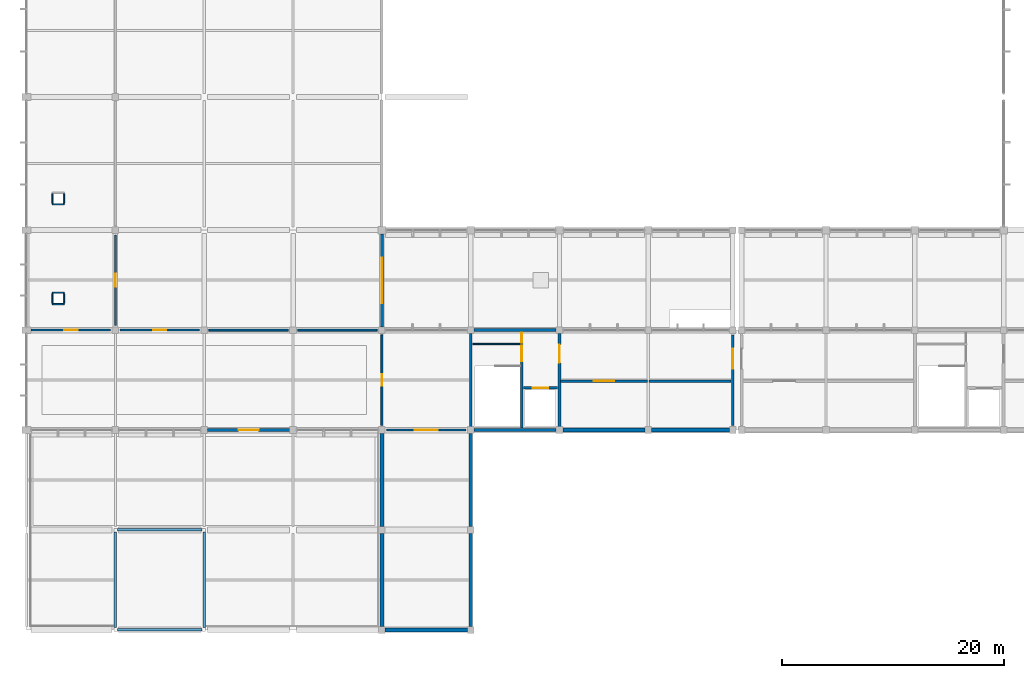
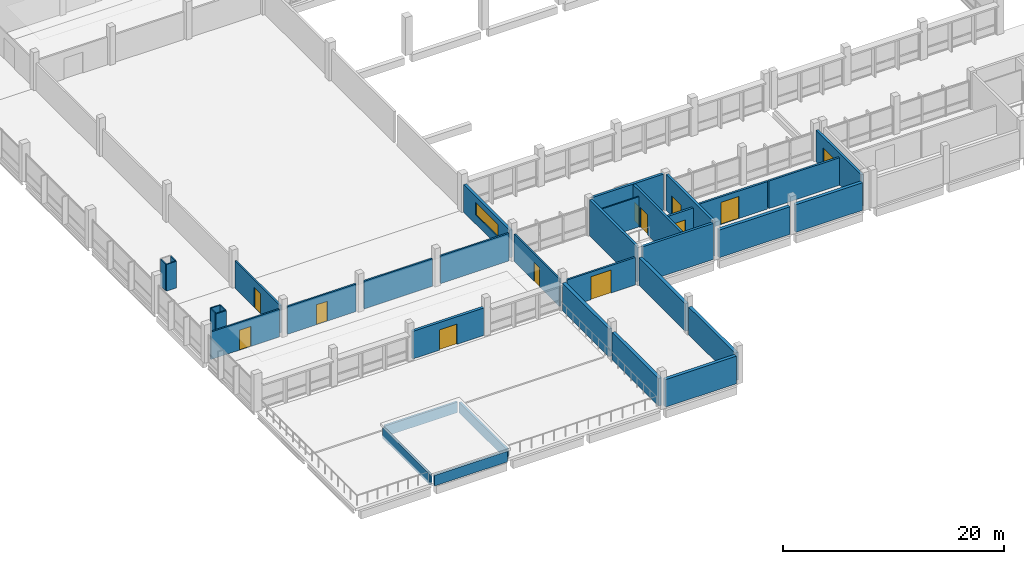
# One storey, part 55 of 70: 37 walls, 12 doors, 1 window, 13 openings.
"""IFC4 building model written with IfcOpenShell, lengths in metres."""

from ifc_helpers import new_model, si_unit, direction, frame, frame_2d, origin, place, context, subcontext, project, spatial, rectangle, extrude, material, layer, layer_set, type_object, element, fill, save


model = new_model("IFC4")

# Units and contexts
model_context = context("Model", 3, precision=1e-05, world=origin(), true_north=direction((0.0, 1.0)))
body_context = subcontext(model_context, "Body", "Model", "MODEL_VIEW")
ifc_project = project(units=[si_unit("LENGTHUNIT", "METRE"), si_unit("AREAUNIT", "SQUARE_METRE"), si_unit("VOLUMEUNIT", "CUBIC_METRE"), si_unit("PLANEANGLEUNIT", "RADIAN"), si_unit("MASSUNIT", "GRAM", prefix="KILO"), si_unit("THERMODYNAMICTEMPERATUREUNIT", "KELVIN"), si_unit("POWERUNIT", "WATT")], contexts=[model_context])

# Site, building, storey
site_placement = place(None, origin())
site = spatial("IfcSite", under=ifc_project, at=site_placement, CompositionType="ELEMENT")
building_placement = place(site_placement, origin())
building = spatial("IfcBuilding", under=site, at=building_placement, Name="Kronsvod Quay Wholesale Market", CompositionType="ELEMENT")
storey_placement = place(building_placement, frame((0.0, 0.0, 9.0)))
storey = spatial("IfcBuildingStorey", under=building, at=storey_placement, Name="L02", CompositionType="ELEMENT", Elevation=9.0)

# Wall, opening, door
ifc_material_1 = material(Name="Polyisocyanurate insulated cold-room panel")
ifc_layer_1 = layer(ifc_material_1, 0.195068359375)
ifc_layer_set_1 = layer_set([ifc_layer_1], Name="Polyisocyanurate insulated cold-room panel")
wall_type_1 = type_object("IfcWallType", Name="Wall_ColdInsul195", PredefinedType="PARTITIONING", material=ifc_layer_set_1)
wall_1_placement = place(storey_placement, frame((32.419921875, 36.0, 0.0), z_axis=(0.0, 0.0, 1.0), x_axis=(1.0, 0.0, 0.0)))
wall_1 = element("IfcWall", 1, at=wall_1_placement, inside=storey, type_object=wall_type_1, Name="PW-L02-0019", PredefinedType="PARTITIONING", context=body_context, shape_type="SweptSolid", body=[
    extrude(rectangle(XDim=7.16015625, YDim=0.195068359375, at=frame_2d((3.580078125, 0.0))), origin(), (0.0, 0.0, 1.0), 3.050048828125),
])
opening_1_placement = place(wall_1_placement, frame((2.530029296875, 0.0, 0.0)))
opening_1 = element("IfcOpeningElement", 2, at=opening_1_placement, cuts=wall_1, Name="Opening D-0279", PredefinedType="OPENING", context=body_context, shape_type="SweptSolid", body=[
    extrude(rectangle(XDim=2.10009765625, YDim=2.550048828125, at=frame_2d((1.050048828125, 1.27490234375))), frame((0.0, 0.107421875, 0.0), z_axis=(0.0, -1.0, 0.0), x_axis=(1.0, 0.0, 0.0)), (0.0, 0.0, 1.0), 0.215087890625),
])
ifc_material_2 = material(Name="Insulated stainless cold-store door", Category="steel")
door_type_1 = type_object("IfcDoorType", Name="Door_ColdSlide210x255", OperationType="SLIDING_TO_RIGHT", PredefinedType="DOOR", material=ifc_material_2)
door_1_placement = place(opening_1_placement, origin())
door_1 = element("IfcDoor", 3, at=door_1_placement, inside=storey, type_object=door_type_1, Name="Interior Door D-0279", OperationType="SLIDING_TO_LEFT", OverallHeight=2.550048828125, OverallWidth=2.10009765625, PredefinedType="DOOR", context=body_context, shape_type="SweptSolid", body=[
    extrude(rectangle(XDim=2.10009765625, YDim=2.550048828125, at=frame_2d((1.050048828125, 1.27490234375))), frame((0.0, 0.02490234375, 0.0), z_axis=(0.0, -1.0, 0.0), x_axis=(1.0, 0.0, 0.0)), (0.0, 0.0, 1.0), 0.050048828125),
])
fill(opening_1, door_1)

ifc_material_3 = material(Name="Polyisocyanurate insulated cold-room panel")
ifc_layer_2 = layer(ifc_material_3, 0.2099609375)
ifc_layer_set_2 = layer_set([ifc_layer_2], Name="Polyisocyanurate insulated cold-room panel")
wall_type_2 = type_object("IfcWallType", Name="Wall_ColdInsul210", PredefinedType="PARTITIONING", material=ifc_layer_set_2)
wall_2_placement = place(storey_placement, frame((48.080078125, 40.39990234375, 0.0), z_axis=(0.0, 0.0, 1.0), x_axis=(1.0, 0.0, 0.0)))
wall_2 = element("IfcWall", 4, at=wall_2_placement, inside=storey, type_object=wall_type_2, Name="PW-L02-0020", PredefinedType="PARTITIONING", context=body_context, shape_type="SweptSolid", body=[
    extrude(rectangle(XDim=7.85986328125, YDim=0.2099609375, at=frame_2d((3.929931640625, 0.0))), origin(), (0.0, 0.0, 1.0), 3.050048828125),
])
opening_2_placement = place(wall_2_placement, frame((3.0048828125, 0.0, 0.0)))
opening_2 = element("IfcOpeningElement", 5, at=opening_2_placement, cuts=wall_2, Name="Opening D-0280", PredefinedType="OPENING", context=body_context, shape_type="SweptSolid", body=[
    extrude(rectangle(XDim=1.85009765625, YDim=2.449951171875, at=frame_2d((0.925048828125, 1.22509765625))), frame((0.0, 0.114990234375, 0.0), z_axis=(0.0, -1.0, 0.0), x_axis=(1.0, 0.0, 0.0)), (0.0, 0.0, 1.0), 0.22998046875),
])
ifc_material_4 = material(Name="Insulated stainless cold-store door", Category="steel")
door_type_2 = type_object("IfcDoorType", Name="Door_ColdSlide185x245", OperationType="SLIDING_TO_LEFT", PredefinedType="DOOR", material=ifc_material_4)
door_2_placement = place(opening_2_placement, origin())
door_2 = element("IfcDoor", 6, at=door_2_placement, inside=storey, type_object=door_type_2, Name="Interior Door D-0280", OperationType="SLIDING_TO_LEFT", OverallHeight=2.449951171875, OverallWidth=1.85009765625, PredefinedType="DOOR", context=body_context, shape_type="SweptSolid", body=[
    extrude(rectangle(XDim=1.85009765625, YDim=2.449951171875, at=frame_2d((0.925048828125, 1.22509765625))), frame((0.0, 0.02490234375, 0.0), z_axis=(0.0, -1.0, 0.0), x_axis=(1.0, 0.0, 0.0)), (0.0, 0.0, 1.0), 0.050048828125),
])
fill(opening_2, door_2)

# Walls
wall_3_placement = place(storey_placement, frame((56.06005859375, 40.39990234375, 0.0), z_axis=(0.0, 0.0, 1.0), x_axis=(1.0, 0.0, 0.0)))
element("IfcWall", 7, at=wall_3_placement, inside=storey, type_object=wall_type_2, Name="PW-L02-0021", PredefinedType="PARTITIONING", context=body_context, shape_type="SweptSolid", body=[
    extrude(rectangle(XDim=7.39990234375, YDim=0.2099609375, at=frame_2d((3.699951171875, 0.0))), origin(), (0.0, 0.0, 1.0), 3.050048828125),
])
ifc_material_5 = material(Name="Concrete C35/45", Category="concrete")
ifc_layer_3 = layer(ifc_material_5, 0.260009765625)
ifc_layer_set_3 = layer_set([ifc_layer_3], Name="Concrete C35/45")
wall_type_3 = type_object("IfcWallType", Name="Wall_CoreShear260", PredefinedType="SHEAR", material=ifc_layer_set_3)
for number, where, z_axis, x_axis, name in (
    (8, (40.294921875, 36.0, 0.0), (0.0, 0.0, 1.0), (1.0, 0.0, 0.0), "CW-C03-L02-S"),
    (9, (40.294921875, 45.0, 0.0), (0.0, 0.0, 1.0), (1.0, 0.0, 0.0), "CW-C03-L02-N"),
):
    element("IfcWall", number, at=place(storey_placement, frame(where, z_axis=z_axis, x_axis=x_axis)), inside=storey, type_object=wall_type_3, Name=name, PredefinedType="SHEAR", context=body_context, shape_type="SweptSolid", body=[
        extrude(rectangle(XDim=7.41015625, YDim=0.260009765625, at=frame_2d((3.705078125, 0.0))), origin(), (0.0, 0.0, 1.0), 3.985107421875),
    ])
wall_4_placement = place(storey_placement, frame((40.0, 36.294921875, 0.0), z_axis=(0.0, 0.0, 1.0), x_axis=(0.0, 1.0, 0.0)))
element("IfcWall", 10, at=wall_4_placement, inside=storey, type_object=wall_type_3, Name="CW-C03-L02-W", PredefinedType="SHEAR", context=body_context, shape_type="SweptSolid", body=[
    extrude(rectangle(XDim=8.41015625, YDim=0.260009765625, at=frame_2d((4.205078125, 0.0))), origin(), (0.0, 0.0, 1.0), 3.985107421875),
])

# Wall, opening, door
wall_5_placement = place(storey_placement, frame((48.0, 36.294921875, 0.0), z_axis=(0.0, 0.0, 1.0), x_axis=(0.0, 1.0, 0.0)))
wall_5 = element("IfcWall", 11, at=wall_5_placement, inside=storey, type_object=wall_type_3, Name="CW-C03-L02-E", PredefinedType="SHEAR", context=body_context, shape_type="SweptSolid", body=[
    extrude(rectangle(XDim=8.41015625, YDim=0.260009765625, at=frame_2d((4.205078125, 0.0))), origin(), (0.0, 0.0, 1.0), 3.985107421875),
])
opening_3_placement = place(wall_5_placement, frame((5.75, 0.0, 0.0)))
opening_3 = element("IfcOpeningElement", 12, at=opening_3_placement, cuts=wall_5, Name="Opening D-0031", PredefinedType="OPENING", context=body_context, shape_type="SweptSolid", body=[
    extrude(rectangle(XDim=1.64990234375, YDim=2.219970703125, at=frame_2d((0.824951171875, 1.10986328125))), frame((0.0, 0.14013671875, 0.0), z_axis=(0.0, -1.0, 0.0), x_axis=(1.0, 0.0, 0.0)), (0.0, 0.0, 1.0), 0.280029296875),
])
ifc_material_6 = material(Name="Painted galvanized fire steel", Category="steel")
door_type_3 = type_object("IfcDoorType", Name="Door_FireLobby165x222", OperationType="DOUBLE_DOOR_SINGLE_SWING", PredefinedType="DOOR", material=ifc_material_6)
door_3_placement = place(opening_3_placement, origin())
door_3 = element("IfcDoor", 13, at=door_3_placement, inside=storey, type_object=door_type_3, Name="Core Lobby Door D-0031", OperationType="DOUBLE_DOOR_SINGLE_SWING", OverallHeight=2.219970703125, OverallWidth=1.64990234375, PredefinedType="DOOR", context=body_context, shape_type="SweptSolid", body=[
    extrude(rectangle(XDim=1.64990234375, YDim=2.219970703125, at=frame_2d((0.824951171875, 1.10986328125))), frame((0.0, 0.02490234375, 0.0), z_axis=(0.0, -1.0, 0.0), x_axis=(1.0, 0.0, 0.0)), (0.0, 0.0, 1.0), 0.050048828125),
])
fill(opening_3, door_3)

# Walls
ifc_material_7 = material(Name="Precast concrete C40/50", Category="concrete")
ifc_layer_4 = layer(ifc_material_7, 0.340087890625)
ifc_layer_set_4 = layer_set([ifc_layer_4], Name="Precast concrete C40/50")
wall_type_4 = type_object("IfcWallType", Name="Wall_ExtColdSandwich340", PredefinedType="SOLIDWALL", material=ifc_layer_set_4)
for number, where, z_axis, x_axis, name in (
    (14, (32.294921875, 18.0, 0.0), (0.0, 0.0, 1.0), (1.0, 0.0, 0.0), "EW-X-L02-0157"),
    (15, (48.294921875, 36.0, 0.0), (0.0, 0.0, 1.0), (1.0, 0.0, 0.0), "EW-X-L02-0159"),
):
    element("IfcWall", number, at=place(storey_placement, frame(where, z_axis=z_axis, x_axis=x_axis)), inside=storey, type_object=wall_type_4, Name=name, PredefinedType="SOLIDWALL", context=body_context, shape_type="SweptSolid", body=[
        extrude(rectangle(XDim=7.41015625, YDim=0.340087890625, at=frame_2d((3.705078125, 0.0))), origin(), (0.0, 0.0, 1.0), 3.050048828125),
    ])
wall_6_placement = place(storey_placement, frame((56.294921875, 36.0, 0.0), z_axis=(0.0, 0.0, 1.0), x_axis=(1.0, 0.0, 0.0)))
element("IfcWall", 16, at=wall_6_placement, inside=storey, type_object=wall_type_4, Name="EW-X-L02-0160", PredefinedType="SOLIDWALL", context=body_context, shape_type="SweptSolid", body=[
    extrude(rectangle(XDim=7.010009765625, YDim=0.340087890625, at=frame_2d((3.5048828125, 0.0))), origin(), (0.0, 0.0, 1.0), 3.050048828125),
])
for number, where, z_axis, x_axis, name in (
    (17, (32.0, 26.705078125, 0.0), (0.0, 0.0, 1.0), (0.0, -1.0, 0.0), "EW-Y-L02-0163"),
    (18, (32.0, 35.705078125, 0.0), (0.0, 0.0, 1.0), (0.0, -1.0, 0.0), "EW-Y-L02-0164"),
    (19, (40.0, 18.294921875, 0.0), (0.0, 0.0, 1.0), (0.0, 1.0, 0.0), "EW-Y-L02-0167"),
    (20, (40.0, 27.294921875, 0.0), (0.0, 0.0, 1.0), (0.0, 1.0, 0.0), "EW-Y-L02-0168"),
):
    element("IfcWall", number, at=place(storey_placement, frame(where, z_axis=z_axis, x_axis=x_axis)), inside=storey, type_object=wall_type_4, Name=name, PredefinedType="SOLIDWALL", context=body_context, shape_type="SweptSolid", body=[
        extrude(rectangle(XDim=8.41015625, YDim=0.340087890625, at=frame_2d((4.205078125, 0.0))), origin(), (0.0, 0.0, 1.0), 3.050048828125),
    ])

# Wall, opening, door
ifc_material_8 = material(Name="Precast concrete C40/50", Category="concrete")
ifc_layer_5 = layer(ifc_material_8, 0.280029296875)
ifc_layer_set_5 = layer_set([ifc_layer_5], Name="Precast concrete C40/50")
wall_type_5 = type_object("IfcWallType", Name="Wall_ExtPrecast280", PredefinedType="SOLIDWALL", material=ifc_layer_set_5)
wall_7_placement = place(storey_placement, frame((16.294921875, 36.0, 0.0), z_axis=(0.0, 0.0, 1.0), x_axis=(1.0, 0.0, 0.0)))
wall_7 = element("IfcWall", 21, at=wall_7_placement, inside=storey, type_object=wall_type_5, Name="EW-X-L02-0158", PredefinedType="SOLIDWALL", context=body_context, shape_type="SweptSolid", body=[
    extrude(rectangle(XDim=7.41015625, YDim=0.280029296875, at=frame_2d((3.705078125, 0.0))), origin(), (0.0, 0.0, 1.0), 3.050048828125),
])
opening_4_placement = place(wall_7_placement, frame((2.804931640625, 0.0, 0.0)))
opening_4 = element("IfcOpeningElement", 22, at=opening_4_placement, cuts=wall_7, Name="Opening ED-052", PredefinedType="OPENING", context=body_context, shape_type="SweptSolid", body=[
    extrude(rectangle(XDim=1.800048828125, YDim=2.25, at=frame_2d((0.89990234375, 1.125))), frame((0.0, 0.14990234375, 0.0), z_axis=(0.0, -1.0, 0.0), x_axis=(1.0, 0.0, 0.0)), (0.0, 0.0, 1.0), 0.300048828125),
])
ifc_material_9 = material(Name="Thermally broken aluminium and glass", Category="aluminium")
door_type_4 = type_object("IfcDoorType", Name="Door_GardenDouble180x225", OperationType="DOUBLE_DOOR_SINGLE_SWING", PredefinedType="DOOR", material=ifc_material_9)
door_4_placement = place(opening_4_placement, frame((1.800048828125, 0.0, 0.0), z_axis=(0.0, 0.0, 1.0), x_axis=(-1.0, 0.0, 0.0)))
door_4 = element("IfcDoor", 23, at=door_4_placement, inside=storey, type_object=door_type_4, Name="Terrace Access Door ED-052", OperationType="DOUBLE_DOOR_SINGLE_SWING", OverallHeight=2.25, OverallWidth=1.800048828125, PredefinedType="DOOR", context=body_context, shape_type="SweptSolid", body=[
    extrude(rectangle(XDim=1.800048828125, YDim=2.25, at=frame_2d((0.89990234375, 1.125))), frame((0.0, 0.02490234375, 0.0), z_axis=(0.0, -1.0, 0.0), x_axis=(1.0, 0.0, 0.0)), (0.0, 0.0, 1.0), 0.050048828125),
])
fill(opening_4, door_4)

# Wall, opening, window
wall_8_placement = place(storey_placement, frame((32.0, 45.294921875, 0.0), z_axis=(0.0, 0.0, 1.0), x_axis=(0.0, 1.0, 0.0)))
wall_8 = element("IfcWall", 24, at=wall_8_placement, inside=storey, type_object=wall_type_5, Name="EW-Y-L02-0165", PredefinedType="SOLIDWALL", context=body_context, shape_type="SweptSolid", body=[
    extrude(rectangle(XDim=8.360107421875, YDim=0.280029296875, at=frame_2d((4.18017578125, 0.0))), origin(), (0.0, 0.0, 1.0), 3.050048828125),
])
opening_5_placement = place(wall_8_placement, frame((2.1298828125, 0.0, 1.0)))
opening_5 = element("IfcOpeningElement", 25, at=opening_5_placement, cuts=wall_8, Name="Opening WIN-14", PredefinedType="OPENING", context=body_context, shape_type="SweptSolid", body=[
    extrude(rectangle(XDim=4.10009765625, YDim=1.39990234375, at=frame_2d((2.050048828125, 0.699951171875))), frame((0.0, 0.14990234375, 0.0), z_axis=(0.0, -1.0, 0.0), x_axis=(1.0, 0.0, 0.0)), (0.0, 0.0, 1.0), 0.300048828125),
])
ifc_material_10 = material(Name="Thermally broken aluminium and triple low-E glazing", Category="aluminium")
window_type = type_object("IfcWindowType", Name="Win_W14", PartitioningType="TRIPLE_PANEL_HORIZONTAL", PredefinedType="WINDOW", material=ifc_material_10)
window_placement = place(opening_5_placement, origin())
window = element("IfcWindow", 26, at=window_placement, inside=storey, type_object=window_type, Name="WIN-Y-L02-0014", OverallHeight=1.39990234375, OverallWidth=4.10009765625, PartitioningType="SINGLE_PANEL", PredefinedType="WINDOW", context=body_context, shape_type="SweptSolid", body=[
    extrude(rectangle(XDim=4.10009765625, YDim=1.39990234375, at=frame_2d((2.050048828125, 0.699951171875))), frame((0.0, 0.030029296875, 0.0), z_axis=(0.0, -1.0, 0.0), x_axis=(1.0, 0.0, 0.0)), (0.0, 0.0, 1.0), 0.06005859375),
])
fill(opening_5, window)

# Wall, opening, door
ifc_material_11 = material(Name="Precast concrete C40/50", Category="concrete")
ifc_layer_6 = layer(ifc_material_11, 0.239990234375)
ifc_layer_set_6 = layer_set([ifc_layer_6], Name="Precast concrete C40/50")
wall_type_6 = type_object("IfcWallType", Name="Wall_ExtSpandrel240", PredefinedType="SOLIDWALL", material=ifc_layer_set_6)
wall_9_placement = place(storey_placement, frame((63.60009765625, 36.419921875, 0.0), z_axis=(0.0, 0.0, 1.0), x_axis=(0.0, 1.0, 0.0)))
wall_9 = element("IfcWall", 27, at=wall_9_placement, inside=storey, type_object=wall_type_6, Name="MJWG-L02-636-360", PredefinedType="SOLIDWALL", context=body_context, shape_type="SweptSolid", body=[
    extrude(rectangle(XDim=8.16015625, YDim=0.239990234375, at=frame_2d((4.080078125, 0.0))), origin(), (0.0, 0.0, 1.0), 3.489990234375),
])
opening_6_placement = place(wall_9_placement, frame((5.10009765625, 0.0, 0.0)))
opening_6 = element("IfcOpeningElement", 28, at=opening_6_placement, cuts=wall_9, Name="Opening D-0374", PredefinedType="OPENING", context=body_context, shape_type="SweptSolid", body=[
    extrude(rectangle(XDim=1.800048828125, YDim=2.300048828125, at=frame_2d((0.89990234375, 1.14990234375))), frame((0.0, 0.1298828125, 0.0), z_axis=(0.0, -1.0, 0.0), x_axis=(1.0, 0.0, 0.0)), (0.0, 0.0, 1.0), 0.260009765625),
])
ifc_material_12 = material(Name="Painted galvanized fire steel", Category="steel")
door_type_5 = type_object("IfcDoorType", Name="Door_FireComp180x230", OperationType="DOUBLE_DOOR_SINGLE_SWING", PredefinedType="DOOR", material=ifc_material_12)
door_5_placement = place(opening_6_placement, origin())
door_5 = element("IfcDoor", 29, at=door_5_placement, inside=storey, type_object=door_type_5, Name="Fire Compartment Door D-0374", OperationType="DOUBLE_DOOR_SINGLE_SWING", OverallHeight=2.300048828125, OverallWidth=1.800048828125, PredefinedType="DOOR", context=body_context, shape_type="SweptSolid", body=[
    extrude(rectangle(XDim=1.800048828125, YDim=2.300048828125, at=frame_2d((0.89990234375, 1.14990234375))), frame((0.0, 0.02490234375, 0.0), z_axis=(0.0, -1.0, 0.0), x_axis=(1.0, 0.0, 0.0)), (0.0, 0.0, 1.0), 0.050048828125),
])
fill(opening_6, door_5)

# Walls
ifc_material_13 = material(Name="Concrete C35/45", Category="concrete")
ifc_layer_7 = layer(ifc_material_13, 0.22509765625)
ifc_layer_set_7 = layer_set([ifc_layer_7], Name="Concrete C35/45")
wall_type_7 = type_object("IfcWallType", Name="Wall_OverrunWall225", PredefinedType="SHEAR", material=ifc_layer_set_7)
for number, where, z_axis, x_axis, name in (
    (30, (8.199951171875, 18.0, -0.300048828125), (0.0, 0.0, 1.0), (1.0, 0.0, 0.0), "OW-C01-S"),
    (31, (8.199951171875, 27.0, -0.300048828125), (0.0, 0.0, 1.0), (1.0, 0.0, 0.0), "OW-C01-N"),
):
    element("IfcWall", number, at=place(storey_placement, frame(where, z_axis=z_axis, x_axis=x_axis)), inside=storey, type_object=wall_type_7, Name=name, PredefinedType="SHEAR", context=body_context, shape_type="SweptSolid", body=[
        extrude(rectangle(XDim=7.60009765625, YDim=0.22509765625, at=frame_2d((3.800048828125, 0.0))), origin(), (0.0, 0.0, 1.0), 1.1650390625),
    ])
for number, where, z_axis, x_axis, name in (
    (32, (8.0, 18.199951171875, -0.300048828125), (0.0, 0.0, 1.0), (0.0, 1.0, 0.0), "OW-C01-W"),
    (33, (16.0, 18.199951171875, -0.300048828125), (0.0, 0.0, 1.0), (0.0, 1.0, 0.0), "OW-C01-E"),
):
    element("IfcWall", number, at=place(storey_placement, frame(where, z_axis=z_axis, x_axis=x_axis)), inside=storey, type_object=wall_type_7, Name=name, PredefinedType="SHEAR", context=body_context, shape_type="SweptSolid", body=[
        extrude(rectangle(XDim=8.60009765625, YDim=0.22509765625, at=frame_2d((4.300048828125, 0.0))), origin(), (0.0, 0.0, 1.0), 1.1650390625),
    ])

# Wall, opening, door
ifc_material_14 = material(Name="Double stud acoustic gypsum partition")
ifc_layer_8 = layer(ifc_material_14, 0.175048828125)
ifc_layer_set_8 = layer_set([ifc_layer_8], Name="Double stud acoustic gypsum partition")
wall_type_8 = type_object("IfcWallType", Name="Wall_PartAcoustic175", PredefinedType="PARTITIONING", material=ifc_layer_set_8)
wall_10_placement = place(storey_placement, frame((8.419921875, 45.0, 0.0), z_axis=(0.0, 0.0, 1.0), x_axis=(1.0, 0.0, 0.0)))
wall_10 = element("IfcWall", 34, at=wall_10_placement, inside=storey, type_object=wall_type_8, Name="PW-L02-0002", PredefinedType="PARTITIONING", context=body_context, shape_type="SweptSolid", body=[
    extrude(rectangle(XDim=7.16015625, YDim=0.175048828125, at=frame_2d((3.580078125, 0.0))), origin(), (0.0, 0.0, 1.0), 3.050048828125),
])
opening_7_placement = place(wall_10_placement, frame((3.0048828125, 0.0, 0.0)))
opening_7 = element("IfcOpeningElement", 35, at=opening_7_placement, cuts=wall_10, Name="Opening D-0271", PredefinedType="OPENING", context=body_context, shape_type="SweptSolid", body=[
    extrude(rectangle(XDim=1.14990234375, YDim=2.199951171875, at=frame_2d((0.574951171875, 1.10009765625))), frame((0.0, 0.09765625, 0.0), z_axis=(0.0, -1.0, 0.0), x_axis=(1.0, 0.0, 0.0)), (0.0, 0.0, 1.0), 0.195068359375),
])
ifc_material_15 = material(Name="Acoustic oak-veneer single door", Category="wood")
door_type_6 = type_object("IfcDoorType", Name="Door_AuctionSingle115x220", OperationType="NOTDEFINED", PredefinedType="DOOR", material=ifc_material_15)
door_6_placement = place(opening_7_placement, origin())
door_6 = element("IfcDoor", 36, at=door_6_placement, inside=storey, type_object=door_type_6, Name="Interior Door D-0271", OperationType="SINGLE_SWING_RIGHT", OverallHeight=2.199951171875, OverallWidth=1.14990234375, PredefinedType="DOOR", context=body_context, shape_type="SweptSolid", body=[
    extrude(rectangle(XDim=1.14990234375, YDim=2.199951171875, at=frame_2d((0.574951171875, 1.10009765625))), frame((0.0, 0.02490234375, 0.0), z_axis=(0.0, -1.0, 0.0), x_axis=(1.0, 0.0, 0.0)), (0.0, 0.0, 1.0), 0.050048828125),
])
fill(opening_7, door_6)

# Walls
for number, where, z_axis, x_axis, name in (
    (37, (16.419921875, 45.0, 0.0), (0.0, 0.0, 1.0), (1.0, 0.0, 0.0), "PW-L02-0003"),
    (38, (24.419921875, 45.0, 0.0), (0.0, 0.0, 1.0), (1.0, 0.0, 0.0), "PW-L02-0004"),
):
    element("IfcWall", number, at=place(storey_placement, frame(where, z_axis=z_axis, x_axis=x_axis)), inside=storey, type_object=wall_type_8, Name=name, PredefinedType="PARTITIONING", context=body_context, shape_type="SweptSolid", body=[
        extrude(rectangle(XDim=7.16015625, YDim=0.175048828125, at=frame_2d((3.580078125, 0.0))), origin(), (0.0, 0.0, 1.0), 3.050048828125),
    ])

# Wall, opening, door
wall_11_placement = place(storey_placement, frame((8.0, 45.419921875, 0.0), z_axis=(0.0, 0.0, 1.0), x_axis=(0.0, 1.0, 0.0)))
wall_11 = element("IfcWall", 39, at=wall_11_placement, inside=storey, type_object=wall_type_8, Name="PW-L02-0006", PredefinedType="PARTITIONING", context=body_context, shape_type="SweptSolid", body=[
    extrude(rectangle(XDim=8.16015625, YDim=0.175048828125, at=frame_2d((4.080078125, 0.0))), origin(), (0.0, 0.0, 1.0), 3.050048828125),
])
opening_8_placement = place(wall_11_placement, frame((3.5048828125, 0.0, 0.0)))
opening_8 = element("IfcOpeningElement", 40, at=opening_8_placement, cuts=wall_11, Name="Opening D-0273", PredefinedType="OPENING", context=body_context, shape_type="SweptSolid", body=[
    extrude(rectangle(XDim=1.14990234375, YDim=2.199951171875, at=frame_2d((0.574951171875, 1.10009765625))), frame((0.0, 0.09765625, 0.0), z_axis=(0.0, -1.0, 0.0), x_axis=(1.0, 0.0, 0.0)), (0.0, 0.0, 1.0), 0.195068359375),
])
door_7_placement = place(opening_8_placement, origin())
door_7 = element("IfcDoor", 41, at=door_7_placement, inside=storey, type_object=door_type_6, Name="Interior Door D-0273", OperationType="SINGLE_SWING_RIGHT", OverallHeight=2.199951171875, OverallWidth=1.14990234375, PredefinedType="DOOR", context=body_context, shape_type="SweptSolid", body=[
    extrude(rectangle(XDim=1.14990234375, YDim=2.199951171875, at=frame_2d((0.574951171875, 1.10009765625))), frame((0.0, 0.02490234375, 0.0), z_axis=(0.0, -1.0, 0.0), x_axis=(1.0, 0.0, 0.0)), (0.0, 0.0, 1.0), 0.050048828125),
])
fill(opening_8, door_7)

ifc_material_16 = material(Name="Fire-rated corridor gypsum partition")
ifc_layer_9 = layer(ifc_material_16, 0.159912109375)
ifc_layer_set_9 = layer_set([ifc_layer_9], Name="Fire-rated corridor gypsum partition")
wall_type_9 = type_object("IfcWallType", Name="Wall_PartCorridor160", PredefinedType="PARTITIONING", material=ifc_layer_set_9)
wall_12_placement = place(storey_placement, frame((0.419921875, 45.0, 0.0), z_axis=(0.0, 0.0, 1.0), x_axis=(1.0, 0.0, 0.0)))
wall_12 = element("IfcWall", 42, at=wall_12_placement, inside=storey, type_object=wall_type_9, Name="PW-L02-0001", PredefinedType="PARTITIONING", context=body_context, shape_type="SweptSolid", body=[
    extrude(rectangle(XDim=7.16015625, YDim=0.159912109375, at=frame_2d((3.580078125, 0.0))), origin(), (0.0, 0.0, 1.0), 3.050048828125),
])
opening_9_placement = place(wall_12_placement, frame((2.989990234375, 0.0, 0.0)))
opening_9 = element("IfcOpeningElement", 43, at=opening_9_placement, cuts=wall_12, Name="Opening D-0270", PredefinedType="OPENING", context=body_context, shape_type="SweptSolid", body=[
    extrude(rectangle(XDim=1.179931640625, YDim=2.199951171875, at=frame_2d((0.58984375, 1.10009765625))), frame((0.0, 0.08984375, 0.0), z_axis=(0.0, -1.0, 0.0), x_axis=(1.0, 0.0, 0.0)), (0.0, 0.0, 1.0), 0.179931640625),
])
ifc_material_17 = material(Name="Solid-core timber office door", Category="wood")
door_type_7 = type_object("IfcDoorType", Name="Door_Office118x220", OperationType="NOTDEFINED", PredefinedType="DOOR", material=ifc_material_17)
door_8_placement = place(opening_9_placement, origin())
door_8 = element("IfcDoor", 44, at=door_8_placement, inside=storey, type_object=door_type_7, Name="Interior Door D-0270", OperationType="SINGLE_SWING_LEFT", OverallHeight=2.199951171875, OverallWidth=1.179931640625, PredefinedType="DOOR", context=body_context, shape_type="SweptSolid", body=[
    extrude(rectangle(XDim=1.179931640625, YDim=2.199951171875, at=frame_2d((0.58984375, 1.10009765625))), frame((0.0, 0.02490234375, 0.0), z_axis=(0.0, -1.0, 0.0), x_axis=(1.0, 0.0, 0.0)), (0.0, 0.0, 1.0), 0.050048828125),
])
fill(opening_9, door_8)

wall_13_placement = place(storey_placement, frame((32.0, 36.419921875, 0.0), z_axis=(0.0, 0.0, 1.0), x_axis=(0.0, 1.0, 0.0)))
wall_13 = element("IfcWall", 45, at=wall_13_placement, inside=storey, type_object=wall_type_9, Name="PW-L02-0005", PredefinedType="PARTITIONING", context=body_context, shape_type="SweptSolid", body=[
    extrude(rectangle(XDim=8.16015625, YDim=0.159912109375, at=frame_2d((4.080078125, 0.0))), origin(), (0.0, 0.0, 1.0), 3.050048828125),
])
opening_10_placement = place(wall_13_placement, frame((3.56005859375, 0.0, 0.0)))
opening_10 = element("IfcOpeningElement", 46, at=opening_10_placement, cuts=wall_13, Name="Opening D-0272", PredefinedType="OPENING", context=body_context, shape_type="SweptSolid", body=[
    extrude(rectangle(XDim=1.0400390625, YDim=2.1298828125, at=frame_2d((0.52001953125, 1.06494140625))), frame((0.0, 0.08984375, 0.0), z_axis=(0.0, -1.0, 0.0), x_axis=(1.0, 0.0, 0.0)), (0.0, 0.0, 1.0), 0.179931640625),
])
ifc_material_18 = material(Name="Solid-core timber office door", Category="wood")
door_type_8 = type_object("IfcDoorType", Name="Door_Office104x213", OperationType="NOTDEFINED", PredefinedType="DOOR", material=ifc_material_18)
door_9_placement = place(opening_10_placement, origin())
door_9 = element("IfcDoor", 47, at=door_9_placement, inside=storey, type_object=door_type_8, Name="Interior Door D-0272", OperationType="SINGLE_SWING_LEFT", OverallHeight=2.1298828125, OverallWidth=1.0400390625, PredefinedType="DOOR", context=body_context, shape_type="SweptSolid", body=[
    extrude(rectangle(XDim=1.0400390625, YDim=2.1298828125, at=frame_2d((0.52001953125, 1.06494140625))), frame((0.0, 0.02490234375, 0.0), z_axis=(0.0, -1.0, 0.0), x_axis=(1.0, 0.0, 0.0)), (0.0, 0.0, 1.0), 0.050048828125),
])
fill(opening_10, door_9)

# Walls
ifc_material_19 = material(Name="Fire-rated shaft riser block wall", Category="masonry")
ifc_layer_10 = layer(ifc_material_19, 0.1201171875)
ifc_layer_set_10 = layer_set([ifc_layer_10], Name="Fire-rated shaft riser block wall")
wall_type_10 = type_object("IfcWallType", Name="Wall_PartRiser120", PredefinedType="PARTITIONING", material=ifc_layer_set_10)
for number, where, z_axis, x_axis, name in (
    (48, (2.320068359375, 47.340087890625, 0.0), (0.0, 0.0, 1.0), (1.0, 0.0, 0.0), "RSRW-SLB-L02-104-S"),
    (49, (2.320068359375, 48.360107421875, 0.0), (0.0, 0.0, 1.0), (1.0, 0.0, 0.0), "RSRW-SLB-L02-104-N"),
):
    element("IfcWall", number, at=place(storey_placement, frame(where, z_axis=z_axis, x_axis=x_axis)), inside=storey, type_object=wall_type_10, Name=name, PredefinedType="PARTITIONING", context=body_context, shape_type="SweptSolid", body=[
        extrude(rectangle(XDim=1.059814453125, YDim=0.1201171875, at=frame_2d((0.52978515625, 0.0))), origin(), (0.0, 0.0, 1.0), 2.949951171875),
    ])
for number, where, z_axis, x_axis, name in (
    (50, (2.340087890625, 47.419921875, 0.0), (0.0, 0.0, 1.0), (0.0, 1.0, 0.0), "RSRW-SLB-L02-104-W"),
    (51, (3.360107421875, 47.419921875, 0.0), (0.0, 0.0, 1.0), (0.0, 1.0, 0.0), "RSRW-SLB-L02-104-E"),
):
    element("IfcWall", number, at=place(storey_placement, frame(where, z_axis=z_axis, x_axis=x_axis)), inside=storey, type_object=wall_type_10, Name=name, PredefinedType="PARTITIONING", context=body_context, shape_type="SweptSolid", body=[
        extrude(rectangle(XDim=0.860107421875, YDim=0.1201171875, at=frame_2d((0.43017578125, 0.0))), origin(), (0.0, 0.0, 1.0), 2.949951171875),
    ])
wall_14_placement = place(storey_placement, frame((2.320068359375, 56.340087890625, 0.0), z_axis=(0.0, 0.0, 1.0), x_axis=(1.0, 0.0, 0.0)))
element("IfcWall", 52, at=wall_14_placement, inside=storey, type_object=wall_type_10, Name="RSRW-SLB-L02-106-S", PredefinedType="PARTITIONING", context=body_context, shape_type="SweptSolid", body=[
    extrude(rectangle(XDim=1.059814453125, YDim=0.1201171875, at=frame_2d((0.52978515625, 0.0))), origin(), (0.0, 0.0, 1.0), 2.949951171875),
])
for number, where, z_axis, x_axis, name in (
    (53, (2.340087890625, 56.419921875, 0.0), (0.0, 0.0, 1.0), (0.0, 1.0, 0.0), "RSRW-SLB-L02-106-W"),
    (54, (3.360107421875, 56.419921875, 0.0), (0.0, 0.0, 1.0), (0.0, 1.0, 0.0), "RSRW-SLB-L02-106-E"),
):
    element("IfcWall", number, at=place(storey_placement, frame(where, z_axis=z_axis, x_axis=x_axis)), inside=storey, type_object=wall_type_10, Name=name, PredefinedType="PARTITIONING", context=body_context, shape_type="SweptSolid", body=[
        extrude(rectangle(XDim=0.860107421875, YDim=0.1201171875, at=frame_2d((0.43017578125, 0.0))), origin(), (0.0, 0.0, 1.0), 2.949951171875),
    ])
ifc_material_20 = material(Name="Fire-rated shaft riser block wall", Category="masonry")
ifc_layer_11 = layer(ifc_material_20, 0.1298828125)
ifc_layer_set_11 = layer_set([ifc_layer_11], Name="Fire-rated shaft riser block wall")
wall_type_11 = type_object("IfcWallType", Name="Wall_PartRiser130", PredefinedType="PARTITIONING", material=ifc_layer_set_11)
wall_15_placement = place(storey_placement, frame((40.179931640625, 43.75, 0.0), z_axis=(0.0, 0.0, 1.0), x_axis=(1.0, 0.0, 0.0)))
element("IfcWall", 55, at=wall_15_placement, inside=storey, type_object=wall_type_11, Name="CW-C03-L02-RSR", PredefinedType="PARTITIONING", context=body_context, shape_type="SweptSolid", body=[
    extrude(rectangle(XDim=4.280029296875, YDim=0.1298828125, at=frame_2d((2.14013671875, 0.0))), origin(), (0.0, 0.0, 1.0), 3.3349609375),
])

# Wall, openings, doors
ifc_material_21 = material(Name="Concrete C35/45", Category="concrete")
ifc_layer_12 = layer(ifc_material_21, 0.239990234375)
ifc_layer_set_12 = layer_set([ifc_layer_12], Name="Concrete C35/45")
wall_type_12 = type_object("IfcWallType", Name="Wall_ShaftWall240", PredefinedType="SHEAR", material=ifc_layer_set_12)
wall_16_placement = place(storey_placement, frame((44.60009765625, 36.179931640625, 0.0), z_axis=(0.0, 0.0, 1.0), x_axis=(0.0, 1.0, 0.0)))
wall_16 = element("IfcWall", 56, at=wall_16_placement, inside=storey, type_object=wall_type_12, Name="CW-C03-L02-DIV", PredefinedType="SHEAR", context=body_context, shape_type="SweptSolid", body=[
    extrude(rectangle(XDim=8.64013671875, YDim=0.239990234375, at=frame_2d((4.320068359375, 0.0))), origin(), (0.0, 0.0, 1.0), 3.985107421875),
])
opening_11_placement = place(wall_16_placement, frame((6.02001953125, 0.0, 0.0)))
opening_11 = element("IfcOpeningElement", 57, at=opening_11_placement, cuts=wall_16, Name="Opening D-0029", PredefinedType="OPENING", context=body_context, shape_type="SweptSolid", body=[
    extrude(rectangle(XDim=1.3798828125, YDim=2.219970703125, at=frame_2d((0.68994140625, 1.10986328125))), frame((0.0, 0.1298828125, 0.0), z_axis=(0.0, -1.0, 0.0), x_axis=(1.0, 0.0, 0.0)), (0.0, 0.0, 1.0), 0.260009765625),
])
opening_12_placement = place(wall_16_placement, frame((7.679931640625, 0.0, 0.0)))
opening_12 = element("IfcOpeningElement", 58, at=opening_12_placement, cuts=wall_16, Name="Opening D-0030", PredefinedType="OPENING", context=body_context, shape_type="SweptSolid", body=[
    extrude(rectangle(XDim=0.89990234375, YDim=2.050048828125, at=frame_2d((0.449951171875, 1.02490234375))), frame((0.0, 0.1298828125, 0.0), z_axis=(0.0, -1.0, 0.0), x_axis=(1.0, 0.0, 0.0)), (0.0, 0.0, 1.0), 0.260009765625),
])
ifc_material_22 = material(Name="Painted galvanized fire steel", Category="steel")
door_type_9 = type_object("IfcDoorType", Name="Door_FireStair138x222", OperationType="NOTDEFINED", PredefinedType="DOOR", material=ifc_material_22)
door_10_placement = place(opening_11_placement, origin())
door_10 = element("IfcDoor", 59, at=door_10_placement, inside=storey, type_object=door_type_9, Name="Stair Fire Door D-0029", OperationType="SINGLE_SWING_LEFT", OverallHeight=2.219970703125, OverallWidth=1.3798828125, PredefinedType="DOOR", context=body_context, shape_type="SweptSolid", body=[
    extrude(rectangle(XDim=1.3798828125, YDim=2.219970703125, at=frame_2d((0.68994140625, 1.10986328125))), frame((0.0, 0.02490234375, 0.0), z_axis=(0.0, -1.0, 0.0), x_axis=(1.0, 0.0, 0.0)), (0.0, 0.0, 1.0), 0.050048828125),
])
fill(opening_11, door_10)
ifc_material_23 = material(Name="Fire-rated steel riser access door", Category="steel")
door_type_10 = type_object("IfcDoorType", Name="Door_Riser90x205", OperationType="NOTDEFINED", PredefinedType="DOOR", material=ifc_material_23)
door_11_placement = place(opening_12_placement, origin())
door_11 = element("IfcDoor", 60, at=door_11_placement, inside=storey, type_object=door_type_10, Name="Service Riser Door D-0030", OperationType="SINGLE_SWING_RIGHT", OverallHeight=2.050048828125, OverallWidth=0.89990234375, PredefinedType="DOOR", context=body_context, shape_type="SweptSolid", body=[
    extrude(rectangle(XDim=0.89990234375, YDim=2.050048828125, at=frame_2d((0.449951171875, 1.02490234375))), frame((0.0, 0.02490234375, 0.0), z_axis=(0.0, -1.0, 0.0), x_axis=(1.0, 0.0, 0.0)), (0.0, 0.0, 1.0), 0.050048828125),
])
fill(opening_12, door_11)

# Wall, opening, door
wall_17_placement = place(storey_placement, frame((44.75, 39.800048828125, 0.0), z_axis=(0.0, 0.0, 1.0), x_axis=(1.0, 0.0, 0.0)))
wall_17 = element("IfcWall", 61, at=wall_17_placement, inside=storey, type_object=wall_type_12, Name="CW-C03-L02-LSH", PredefinedType="SHEAR", context=body_context, shape_type="SweptSolid", body=[
    extrude(rectangle(XDim=3.070068359375, YDim=0.239990234375, at=frame_2d((1.53515625, 0.0))), origin(), (0.0, 0.0, 1.0), 3.3349609375),
])
opening_13_placement = place(wall_17_placement, frame((0.8349609375, 0.0, 0.0)))
opening_13 = element("IfcOpeningElement", 62, at=opening_13_placement, cuts=wall_17, Name="Opening D-0032", PredefinedType="OPENING", context=body_context, shape_type="SweptSolid", body=[
    extrude(rectangle(XDim=1.39990234375, YDim=2.300048828125, at=frame_2d((0.699951171875, 1.14990234375))), frame((0.0, 0.1298828125, 0.0), z_axis=(0.0, -1.0, 0.0), x_axis=(1.0, 0.0, 0.0)), (0.0, 0.0, 1.0), 0.260009765625),
])
ifc_material_24 = material(Name="Brushed stainless steel", Category="steel")
door_type_11 = type_object("IfcDoorType", Name="Door_LiftLandingGoods", OperationType="SLIDING_TO_LEFT", PredefinedType="DOOR", material=ifc_material_24)
door_12_placement = place(opening_13_placement, origin())
door_12 = element("IfcDoor", 63, at=door_12_placement, inside=storey, type_object=door_type_11, Name="Lift Landing Door LFT-G02 L02", OperationType="SLIDING_TO_LEFT", OverallHeight=2.300048828125, OverallWidth=1.39990234375, PredefinedType="DOOR", context=body_context, shape_type="SweptSolid", body=[
    extrude(rectangle(XDim=1.39990234375, YDim=2.300048828125, at=frame_2d((0.699951171875, 1.14990234375))), frame((0.0, 0.02490234375, 0.0), z_axis=(0.0, -1.0, 0.0), x_axis=(1.0, 0.0, 0.0)), (0.0, 0.0, 1.0), 0.050048828125),
])
fill(opening_13, door_12)

save(model, "model.ifc")
